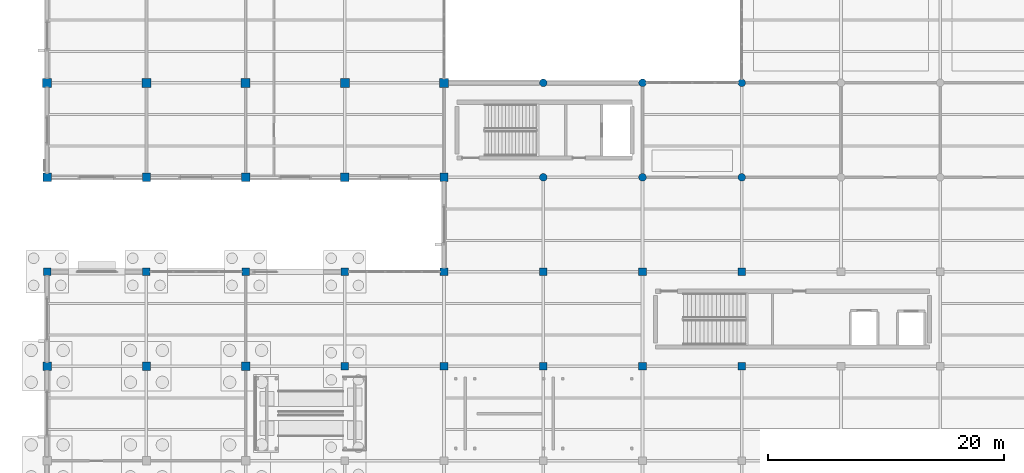
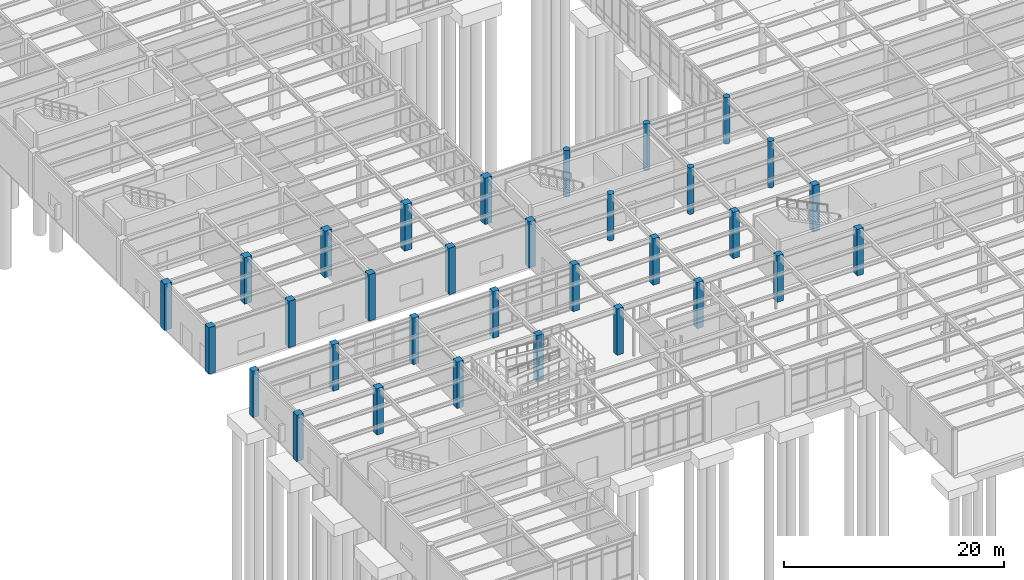
# One storey, part 8 of 138: 32 columns.
"""IFC4 building model written with IfcOpenShell, lengths in metres."""

from ifc_helpers import new_model, si_unit, direction, frame, origin, origin_2d, place, context, subcontext, project, spatial, rectangle, circle, extrude, material, material_profile, profile_set, type_object, element, save


model = new_model("IFC4")

# Units and contexts
model_context = context("Model", 3, precision=1e-05, world=origin(), true_north=direction((0.0, 1.0)))
body_context = subcontext(model_context, "Body", "Model", "MODEL_VIEW")
ifc_project = project(units=[si_unit("LENGTHUNIT", "METRE"), si_unit("AREAUNIT", "SQUARE_METRE"), si_unit("VOLUMEUNIT", "CUBIC_METRE"), si_unit("PLANEANGLEUNIT", "RADIAN"), si_unit("MASSUNIT", "GRAM", prefix="KILO")], contexts=[model_context])

# Site, building, storey
site_placement = place(None, origin())
site = spatial("IfcSite", under=ifc_project, at=site_placement, CompositionType="ELEMENT")
building_placement = place(site_placement, origin())
building = spatial("IfcBuilding", under=site, at=building_placement, Name="Kranzveld Transit Interchange", CompositionType="ELEMENT")
storey_placement = place(building_placement, origin())
storey = spatial("IfcBuildingStorey", under=building, at=storey_placement, Name="L00", CompositionType="ELEMENT", Elevation=0.0)

# Columns
ifc_material_1 = material(Name="Concrete C35/45", Category="concrete")
ifc_material_profile_1 = material_profile(ifc_material_1, rectangle(XDim=0.64990234375, YDim=0.64990234375, at=origin_2d()), Name="RC 650x650")
ifc_profile_set_1 = profile_set([ifc_material_profile_1], Name="Concrete C35/45")
column_type_1 = type_object("IfcColumnType", Name="Column RC 650x650 C35/45", PredefinedType="COLUMN", material=ifc_profile_set_1)
for number, where, z_axis, x_axis, name in (
    (1, (0.0, 40.0, 0.0), (0.0, 0.0, 1.0), (1.0, 0.0, 0.0), "L00 Column 01/F"),
    (2, (8.39990234375, 40.0, 0.0), (0.0, 0.0, 1.0), (1.0, 0.0, 0.0), "L00 Column 02/F"),
    (3, (16.800048828125, 40.0, 0.0), (0.0, 0.0, 1.0), (1.0, 0.0, 0.0), "L00 Column 03/F"),
    (4, (25.199951171875, 32.0, 0.0), (0.0, 0.0, 1.0), (1.0, 0.0, 0.0), "L00 Column 04/E"),
    (5, (25.199951171875, 40.0, 0.0), (0.0, 0.0, 1.0), (1.0, 0.0, 0.0), "L00 Column 04/F"),
    (6, (33.60009765625, 32.0, 0.0), (0.0, 0.0, 1.0), (1.0, 0.0, 0.0), "L00 Column 05/E"),
    (7, (33.60009765625, 40.0, 0.0), (0.0, 0.0, 1.0), (1.0, 0.0, 0.0), "L00 Column 05/F"),
    (8, (42.0, 32.0, 0.0), (0.0, 0.0, 1.0), (1.0, 0.0, 0.0), "L00 Column 06/E"),
    (9, (42.0, 40.0, 0.0), (0.0, 0.0, 1.0), (1.0, 0.0, 0.0), "L00 Column 06/F"),
    (10, (50.39990234375, 32.0, 0.0), (0.0, 0.0, 1.0), (1.0, 0.0, 0.0), "L00 Column 07/E"),
    (11, (50.39990234375, 40.0, 0.0), (0.0, 0.0, 1.0), (1.0, 0.0, 0.0), "L00 Column 07/F"),
    (12, (58.800048828125, 32.0, 0.0), (0.0, 0.0, 1.0), (1.0, 0.0, 0.0), "L00 Column 08/E"),
    (13, (58.800048828125, 40.0, 0.0), (0.0, 0.0, 1.0), (1.0, 0.0, 0.0), "L00 Column 08/F"),
):
    element("IfcColumn", number, at=place(storey_placement, frame(where, z_axis=z_axis, x_axis=x_axis)), inside=storey, type_object=column_type_1, Name=name, PredefinedType="COLUMN", context=body_context, shape_type="SweptSolid", body=[
        extrude(rectangle(XDim=0.64990234375, YDim=0.64990234375, at=origin_2d()), origin(), (0.0, 0.0, 1.0), 5.14990234375),
    ])
ifc_material_2 = material(Name="Concrete C35/45", Category="concrete")
ifc_material_profile_2 = material_profile(ifc_material_2, rectangle(XDim=0.699951171875, YDim=0.699951171875, at=origin_2d()), Name="RC 700x700")
ifc_profile_set_2 = profile_set([ifc_material_profile_2], Name="Concrete C35/45")
column_type_2 = type_object("IfcColumnType", Name="Column RC 700x700 C35/45", PredefinedType="COLUMN", material=ifc_profile_set_2)
for number, where, z_axis, x_axis, name in (
    (14, (0.0, 32.0, 0.0), (0.0, 0.0, 1.0), (1.0, 0.0, 0.0), "L00 Column 01/E"),
    (15, (0.0, 48.0, 0.0), (0.0, 0.0, 1.0), (1.0, 0.0, 0.0), "L00 Column 01/G"),
    (16, (8.39990234375, 32.0, 0.0), (0.0, 0.0, 1.0), (1.0, 0.0, 0.0), "L00 Column 02/E"),
    (17, (8.39990234375, 48.0, 0.0), (0.0, 0.0, 1.0), (1.0, 0.0, 0.0), "L00 Column 02/G"),
    (18, (16.800048828125, 32.0, 0.0), (0.0, 0.0, 1.0), (1.0, 0.0, 0.0), "L00 Column 03/E"),
    (19, (16.800048828125, 48.0, 0.0), (0.0, 0.0, 1.0), (1.0, 0.0, 0.0), "L00 Column 03/G"),
    (20, (25.199951171875, 48.0, 0.0), (0.0, 0.0, 1.0), (1.0, 0.0, 0.0), "L00 Column 04/G"),
    (21, (33.60009765625, 48.0, 0.0), (0.0, 0.0, 1.0), (1.0, 0.0, 0.0), "L00 Column 05/G"),
):
    element("IfcColumn", number, at=place(storey_placement, frame(where, z_axis=z_axis, x_axis=x_axis)), inside=storey, type_object=column_type_2, Name=name, PredefinedType="COLUMN", context=body_context, shape_type="SweptSolid", body=[
        extrude(rectangle(XDim=0.699951171875, YDim=0.699951171875, at=origin_2d()), origin(), (0.0, 0.0, 1.0), 5.14990234375),
    ])
ifc_material_3 = material(Name="Concrete C40/50", Category="concrete")
ifc_material_profile_3 = material_profile(ifc_material_3, rectangle(XDim=0.75, YDim=0.75, at=origin_2d()), Name="RC 750x750")
ifc_profile_set_3 = profile_set([ifc_material_profile_3], Name="Concrete C40/50")
column_type_3 = type_object("IfcColumnType", Name="Column RC 750x750 C40/50", PredefinedType="COLUMN", material=ifc_profile_set_3)
for number, where, z_axis, x_axis, name in (
    (22, (0.0, 56.0, 0.0), (0.0, 0.0, 1.0), (1.0, 0.0, 0.0), "L00 Column 01/H"),
    (23, (8.39990234375, 56.0, 0.0), (0.0, 0.0, 1.0), (1.0, 0.0, 0.0), "L00 Column 02/H"),
    (24, (16.800048828125, 56.0, 0.0), (0.0, 0.0, 1.0), (1.0, 0.0, 0.0), "L00 Column 03/H"),
    (25, (25.199951171875, 56.0, 0.0), (0.0, 0.0, 1.0), (1.0, 0.0, 0.0), "L00 Column 04/H"),
    (26, (33.60009765625, 56.0, 0.0), (0.0, 0.0, 1.0), (1.0, 0.0, 0.0), "L00 Column 05/H"),
):
    element("IfcColumn", number, at=place(storey_placement, frame(where, z_axis=z_axis, x_axis=x_axis)), inside=storey, type_object=column_type_3, Name=name, PredefinedType="COLUMN", context=body_context, shape_type="SweptSolid", body=[
        extrude(rectangle(XDim=0.75, YDim=0.75, at=origin_2d()), origin(), (0.0, 0.0, 1.0), 5.14990234375),
    ])
ifc_material_4 = material(Name="Concrete C35/45", Category="concrete")
ifc_material_profile_4 = material_profile(ifc_material_4, circle(Radius=0.324951171875, at=origin_2d()), Name="RC DIA 650")
ifc_profile_set_4 = profile_set([ifc_material_profile_4], Name="Concrete C35/45")
column_type_4 = type_object("IfcColumnType", Name="Column RC Dia 650 C35/45", PredefinedType="COLUMN", material=ifc_profile_set_4)
for number, where, z_axis, x_axis, name in (
    (27, (42.0, 48.0, 0.0), (0.0, 0.0, 1.0), (1.0, 0.0, 0.0), "L00 Column 06/G"),
    (28, (42.0, 56.0, 0.0), (0.0, 0.0, 1.0), (1.0, 0.0, 0.0), "L00 Column 06/H"),
    (29, (50.39990234375, 48.0, 0.0), (0.0, 0.0, 1.0), (1.0, 0.0, 0.0), "L00 Column 07/G"),
    (30, (50.39990234375, 56.0, 0.0), (0.0, 0.0, 1.0), (1.0, 0.0, 0.0), "L00 Column 07/H"),
    (31, (58.800048828125, 48.0, 0.0), (0.0, 0.0, 1.0), (1.0, 0.0, 0.0), "L00 Column 08/G"),
    (32, (58.800048828125, 56.0, 0.0), (0.0, 0.0, 1.0), (1.0, 0.0, 0.0), "L00 Column 08/H"),
):
    element("IfcColumn", number, at=place(storey_placement, frame(where, z_axis=z_axis, x_axis=x_axis)), inside=storey, type_object=column_type_4, Name=name, PredefinedType="COLUMN", context=body_context, shape_type="SweptSolid", body=[
        extrude(circle(Radius=0.324951171875, at=origin_2d()), origin(), (0.0, 0.0, 1.0), 5.14990234375),
    ])

save(model, "model.ifc")
